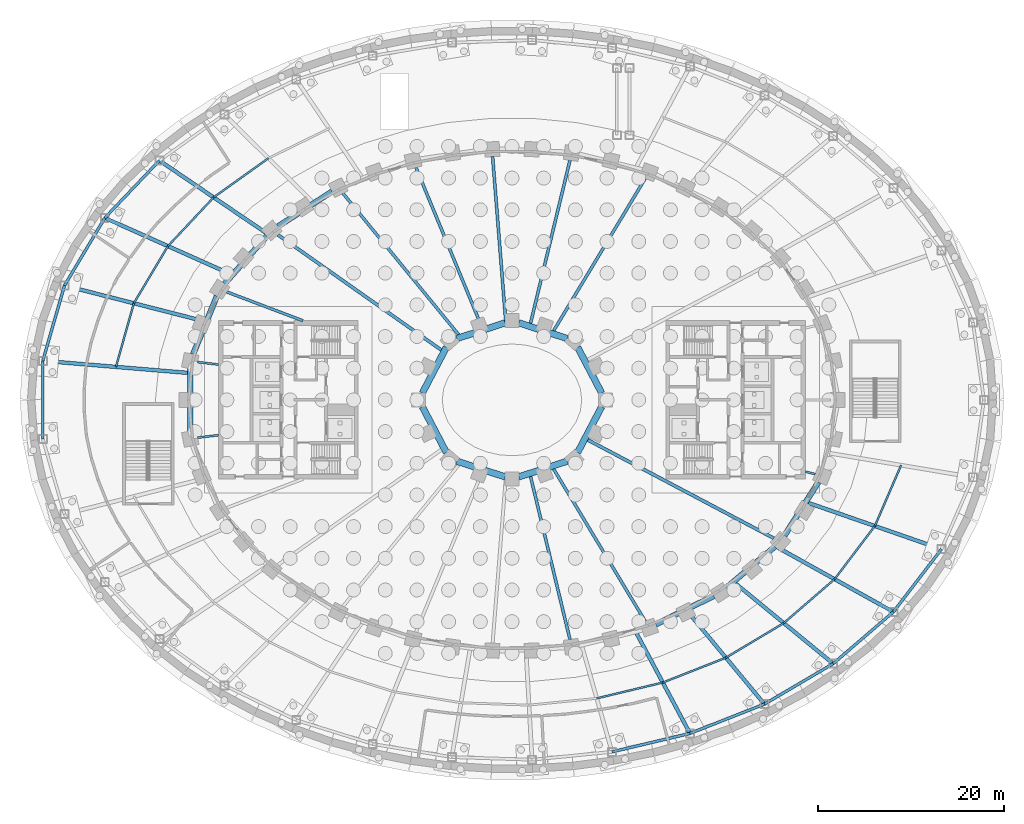
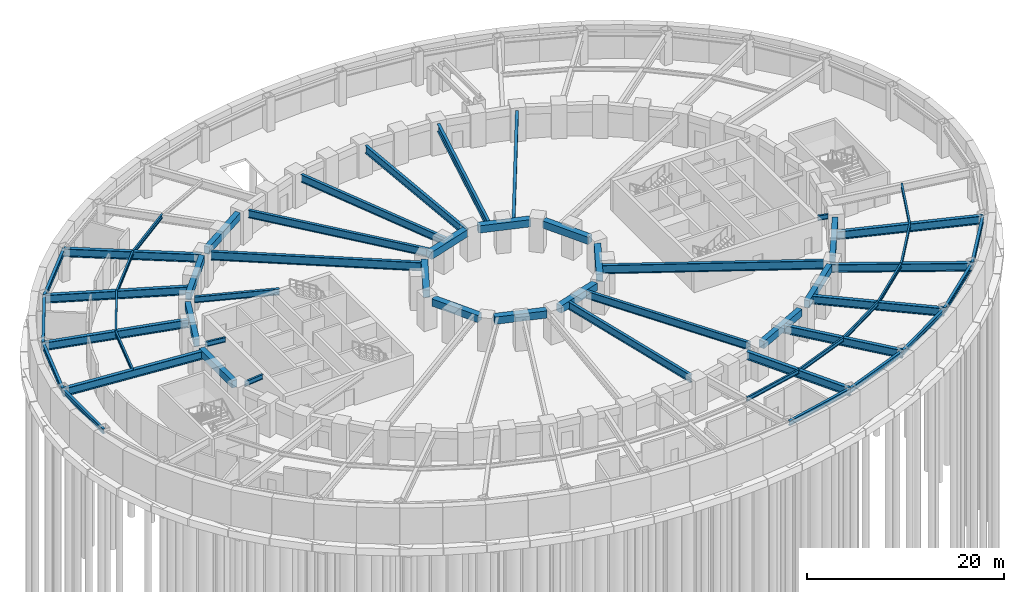
# One storey, part 7 of 19: 56 beams.
"""IFC4 building model written with IfcOpenShell, lengths in metres."""

from ifc_helpers import new_model, si_unit, direction, frame, origin, origin_2d, place, context, subcontext, project, spatial, rectangle, i_section, extrude, material, material_profile, profile_set, type_object, element, save


model = new_model("IFC4")

# Units and contexts
model_context = context("Model", 3, precision=1e-05, world=origin(), true_north=direction((0.0, 1.0)))
body_context = subcontext(model_context, "Body", "Model", "MODEL_VIEW")
ifc_project = project(units=[si_unit("LENGTHUNIT", "METRE"), si_unit("AREAUNIT", "SQUARE_METRE"), si_unit("VOLUMEUNIT", "CUBIC_METRE"), si_unit("PLANEANGLEUNIT", "RADIAN"), si_unit("MASSUNIT", "GRAM", prefix="KILO")], contexts=[model_context])

# Site, building, storey
site_placement = place(None, origin())
site = spatial("IfcSite", under=ifc_project, at=site_placement, CompositionType="ELEMENT")
building_placement = place(site_placement, origin())
building = spatial("IfcBuilding", under=site, at=building_placement, Name="Noorbagh Ring Tower", CompositionType="ELEMENT")
storey_placement = place(building_placement, frame((0.0, 0.0, -8.39990234375)))
storey = spatial("IfcBuildingStorey", under=building, at=storey_placement, Name="B2", CompositionType="ELEMENT", Elevation=-8.39990234375)

# Beams
ifc_material_1 = material(Name="Steel S355", Category="steel")
ifc_material_profile_1 = material_profile(ifc_material_1, i_section(OverallWidth=0.300048828125, OverallDepth=0.60009765625, WebThickness=0.015380859375, FlangeThickness=0.030029296875, FilletRadius=0.027099609375, at=origin_2d()), Name="HEB600")
ifc_profile_set_1 = profile_set([ifc_material_profile_1], Name="Steel S355")
beam_type_1 = type_object("IfcBeamType", Name="GND-EDGE-BEAM-HEB600", PredefinedType="BEAM", material=ifc_profile_set_1)
beam_1_placement = place(storey_placement, frame((-37.8330078125, 25.679931640625, 3.599853515625), z_axis=(-0.689738356688, -0.724058698804, 0.0), x_axis=(0.724058698804, -0.689738356688, 0.0)))
element("IfcBeam", 1, at=beam_1_placement, inside=storey, type_object=beam_type_1, Name="B2/bm/ERP-14", PredefinedType="BEAM", context=body_context, shape_type="SweptSolid", body=[
    extrude(i_section(OverallWidth=0.300048828125, OverallDepth=0.60009765625, WebThickness=0.015380859375, FlangeThickness=0.030029296875, FilletRadius=0.027099609375, at=origin_2d()), origin(), (0.0, 0.0, 1.0), 8.500732421875),
])
beam_2_placement = place(storey_placement, frame((-43.6962890625, 19.52490234375, 3.599853515625), z_axis=(-0.511999358166, -0.858985830638, 0.0), x_axis=(0.858985830638, -0.511999358166, 0.0)))
element("IfcBeam", 2, at=beam_2_placement, inside=storey, type_object=beam_type_1, Name="B2/bm/ERP-15", PredefinedType="BEAM", context=body_context, shape_type="SweptSolid", body=[
    extrude(i_section(OverallWidth=0.300048828125, OverallDepth=0.60009765625, WebThickness=0.015380859375, FlangeThickness=0.030029296875, FilletRadius=0.027099609375, at=origin_2d()), origin(), (0.0, 0.0, 1.0), 8.449462890625),
])
beam_3_placement = place(storey_placement, frame((-48.0224609375, 12.266845703125, 3.599853515625), z_axis=(-0.276646874617, -0.960971647222, 0.0), x_axis=(0.960971647222, -0.276646874617, 0.0)))
element("IfcBeam", 3, at=beam_3_placement, inside=storey, type_object=beam_type_1, Name="B2/bm/ERP-16", PredefinedType="BEAM", context=body_context, shape_type="SweptSolid", body=[
    extrude(i_section(OverallWidth=0.300048828125, OverallDepth=0.60009765625, WebThickness=0.015380859375, FlangeThickness=0.030029296875, FilletRadius=0.027099609375, at=origin_2d()), origin(), (0.0, 0.0, 1.0), 8.403076171875),
])
beam_4_placement = place(storey_placement, frame((-50.34716796875, 4.191650390625, 3.599853515625), z_axis=(0.0, -1.0, 0.0), x_axis=(1.0, 0.0, 0.0)))
element("IfcBeam", 4, at=beam_4_placement, inside=storey, type_object=beam_type_1, Name="B2/bm/ERP-17", PredefinedType="BEAM", context=body_context, shape_type="SweptSolid", body=[
    extrude(i_section(OverallWidth=0.300048828125, OverallDepth=0.60009765625, WebThickness=0.015380859375, FlangeThickness=0.030029296875, FilletRadius=0.027099609375, at=origin_2d()), origin(), (0.0, 0.0, 1.0), 8.38330078125),
])
beam_5_placement = place(storey_placement, frame((10.724609375, -37.771240234375, 3.599853515625), z_axis=(0.973167977411, 0.230095822957, 0.0), x_axis=(-0.230095822957, 0.973167977411, 0.0)))
element("IfcBeam", 5, at=beam_5_placement, inside=storey, type_object=beam_type_1, Name="B2/bm/ERP-27", PredefinedType="BEAM", context=body_context, shape_type="SweptSolid", body=[
    extrude(i_section(OverallWidth=0.300048828125, OverallDepth=0.60009765625, WebThickness=0.015380859375, FlangeThickness=0.030029296875, FilletRadius=0.027099609375, at=origin_2d()), origin(), (0.0, 0.0, 1.0), 8.602783203125),
])
beam_6_placement = place(storey_placement, frame((19.0966796875, -35.791748046875, 3.599853515625), z_axis=(0.930571668723, 0.366109777758, 0.0), x_axis=(-0.366109777758, 0.930571668723, 0.0)))
element("IfcBeam", 6, at=beam_6_placement, inside=storey, type_object=beam_type_1, Name="B2/bm/ERP-28", PredefinedType="BEAM", context=body_context, shape_type="SweptSolid", body=[
    extrude(i_section(OverallWidth=0.300048828125, OverallDepth=0.60009765625, WebThickness=0.015380859375, FlangeThickness=0.030029296875, FilletRadius=0.027099609375, at=origin_2d()), origin(), (0.0, 0.0, 1.0), 8.58642578125),
])
beam_7_placement = place(storey_placement, frame((27.0869140625, -32.648193359375, 3.599853515625), z_axis=(0.8618652907, 0.507137279922, 0.0), x_axis=(-0.507137279922, 0.8618652907, 0.0)))
element("IfcBeam", 7, at=beam_7_placement, inside=storey, type_object=beam_type_1, Name="B2/bm/ERP-29", PredefinedType="BEAM", context=body_context, shape_type="SweptSolid", body=[
    extrude(i_section(OverallWidth=0.300048828125, OverallDepth=0.60009765625, WebThickness=0.015380859375, FlangeThickness=0.030029296875, FilletRadius=0.027099609375, at=origin_2d()), origin(), (0.0, 0.0, 1.0), 8.560302734375),
])
beam_8_placement = place(storey_placement, frame((34.46484375, -28.306884765625, 3.599853515625), z_axis=(0.758254861469, 0.651958254076, 0.0), x_axis=(-0.651958254076, 0.758254861469, 0.0)))
element("IfcBeam", 8, at=beam_8_placement, inside=storey, type_object=beam_type_1, Name="B2/bm/ERP-30", PredefinedType="BEAM", context=body_context, shape_type="SweptSolid", body=[
    extrude(i_section(OverallWidth=0.300048828125, OverallDepth=0.60009765625, WebThickness=0.015380859375, FlangeThickness=0.030029296875, FilletRadius=0.027099609375, at=origin_2d()), origin(), (0.0, 0.0, 1.0), 8.5234375),
])
beam_9_placement = place(storey_placement, frame((40.927734375, -22.75, 3.599853515625), z_axis=(0.608048680374, 0.793899743227, 0.0), x_axis=(-0.793899743227, 0.608048680374, 0.0)))
element("IfcBeam", 9, at=beam_9_placement, inside=storey, type_object=beam_type_1, Name="B2/bm/ERP-31", PredefinedType="BEAM", context=body_context, shape_type="SweptSolid", body=[
    extrude(i_section(OverallWidth=0.300048828125, OverallDepth=0.60009765625, WebThickness=0.015380859375, FlangeThickness=0.030029296875, FilletRadius=0.027099609375, at=origin_2d()), origin(), (0.0, 0.0, 1.0), 8.4755859375),
])
ifc_material_2 = material(Name="Steel S355", Category="steel")
ifc_material_profile_2 = material_profile(ifc_material_2, i_section(OverallWidth=0.39990234375, OverallDepth=1.0, WebThickness=0.01611328125, FlangeThickness=0.0400390625, at=origin_2d()), Name="PG1000x400x16x40")
ifc_profile_set_2 = profile_set([ifc_material_profile_2], Name="Steel S355")
beam_type_2 = type_object("IfcBeamType", Name="GND-GIRDER-PG1000x400x16x40", PredefinedType="BEAM", material=ifc_profile_set_2)
beam_10_placement = place(storey_placement, frame((-37.8330078125, 25.679931640625, 3.39990234375), z_axis=(0.82739656341, -0.561618132593, 0.0), x_axis=(0.561618132593, 0.82739656341, 0.0)))
element("IfcBeam", 10, at=beam_10_placement, inside=storey, type_object=beam_type_2, Name="B2/bm/GRP-14", PredefinedType="BEAM", context=body_context, shape_type="SweptSolid", body=[
    extrude(i_section(OverallWidth=0.39990234375, OverallDepth=1.0, WebThickness=0.01611328125, FlangeThickness=0.0400390625, at=origin_2d()), origin(), (0.0, 0.0, 1.0), 14.06640625),
])
beam_11_placement = place(storey_placement, frame((-43.6962890625, 19.52490234375, 3.39990234375), z_axis=(0.91299879945, -0.4079622436, 0.0), x_axis=(0.4079622436, 0.91299879945, 0.0)))
element("IfcBeam", 11, at=beam_11_placement, inside=storey, type_object=beam_type_2, Name="B2/bm/GRP-15", PredefinedType="BEAM", context=body_context, shape_type="SweptSolid", body=[
    extrude(i_section(OverallWidth=0.39990234375, OverallDepth=1.0, WebThickness=0.01611328125, FlangeThickness=0.0400390625, at=origin_2d()), origin(), (0.0, 0.0, 1.0), 14.8359375),
])
beam_12_placement = place(storey_placement, frame((-48.0224609375, 12.266845703125, 3.39990234375), z_axis=(0.968889089752, -0.247495316642, 0.0), x_axis=(0.247495316642, 0.968889089752, 0.0)))
element("IfcBeam", 12, at=beam_12_placement, inside=storey, type_object=beam_type_2, Name="B2/bm/GRP-16", PredefinedType="BEAM", context=body_context, shape_type="SweptSolid", body=[
    extrude(i_section(OverallWidth=0.39990234375, OverallDepth=1.0, WebThickness=0.01611328125, FlangeThickness=0.0400390625, at=origin_2d()), origin(), (0.0, 0.0, 1.0), 15.35986328125),
])
beam_13_placement = place(storey_placement, frame((-50.34716796875, 4.191650390625, 3.39990234375), z_axis=(0.996552811546, -0.082960796767, 0.0), x_axis=(0.082960796767, 0.996552811546, 0.0)))
element("IfcBeam", 13, at=beam_13_placement, inside=storey, type_object=beam_type_2, Name="B2/bm/GRP-17", PredefinedType="BEAM", context=body_context, shape_type="SweptSolid", body=[
    extrude(i_section(OverallWidth=0.39990234375, OverallDepth=1.0, WebThickness=0.01611328125, FlangeThickness=0.0400390625, at=origin_2d()), origin(), (0.0, 0.0, 1.0), 15.7470703125),
])
beam_14_placement = place(storey_placement, frame((19.0966796875, -35.791748046875, 3.39990234375), z_axis=(-0.470746944877, 0.88226827773, 0.0), x_axis=(-0.88226827773, -0.470746944877, 0.0)))
element("IfcBeam", 14, at=beam_14_placement, inside=storey, type_object=beam_type_2, Name="B2/bm/GRP-28", PredefinedType="BEAM", context=body_context, shape_type="SweptSolid", body=[
    extrude(i_section(OverallWidth=0.39990234375, OverallDepth=1.0, WebThickness=0.01611328125, FlangeThickness=0.0400390625, at=origin_2d()), origin(), (0.0, 0.0, 1.0), 12.375),
])
beam_15_placement = place(storey_placement, frame((27.0869140625, -32.648193359375, 3.39990234375), z_axis=(-0.638516852805, 0.769607840841, 0.0), x_axis=(-0.769607840841, -0.638516852805, 0.0)))
element("IfcBeam", 15, at=beam_15_placement, inside=storey, type_object=beam_type_2, Name="B2/bm/GRP-29", PredefinedType="BEAM", context=body_context, shape_type="SweptSolid", body=[
    extrude(i_section(OverallWidth=0.39990234375, OverallDepth=1.0, WebThickness=0.01611328125, FlangeThickness=0.0400390625, at=origin_2d()), origin(), (0.0, 0.0, 1.0), 12.943603515625),
])
beam_16_placement = place(storey_placement, frame((34.46484375, -28.306884765625, 3.39990234375), z_axis=(-0.772763025599, 0.63469465593, 0.0), x_axis=(-0.63469465593, -0.772763025599, 0.0)))
element("IfcBeam", 16, at=beam_16_placement, inside=storey, type_object=beam_type_2, Name="B2/bm/GRP-30", PredefinedType="BEAM", context=body_context, shape_type="SweptSolid", body=[
    extrude(i_section(OverallWidth=0.39990234375, OverallDepth=1.0, WebThickness=0.01611328125, FlangeThickness=0.0400390625, at=origin_2d()), origin(), (0.0, 0.0, 1.0), 13.723388671875),
])
beam_17_placement = place(storey_placement, frame((40.927734375, -22.75, 3.39990234375), z_axis=(-0.874045637009, 0.485843827197, 0.0), x_axis=(-0.485843827197, -0.874045637009, 0.0)))
element("IfcBeam", 17, at=beam_17_placement, inside=storey, type_object=beam_type_2, Name="B2/bm/GRP-31", PredefinedType="BEAM", context=body_context, shape_type="SweptSolid", body=[
    extrude(i_section(OverallWidth=0.39990234375, OverallDepth=1.0, WebThickness=0.01611328125, FlangeThickness=0.0400390625, at=origin_2d()), origin(), (0.0, 0.0, 1.0), 14.444580078125),
])
beam_18_placement = place(storey_placement, frame((46.081298828125, -16.021240234375, 3.39990234375), z_axis=(-0.94453989429, 0.328396693185, 0.0), x_axis=(-0.328396693185, -0.94453989429, 0.0)))
element("IfcBeam", 18, at=beam_18_placement, inside=storey, type_object=beam_type_2, Name="B2/bm/GRP-32", PredefinedType="BEAM", context=body_context, shape_type="SweptSolid", body=[
    extrude(i_section(OverallWidth=0.39990234375, OverallDepth=1.0, WebThickness=0.01611328125, FlangeThickness=0.0400390625, at=origin_2d()), origin(), (0.0, 0.0, 1.0), 15.12890625),
])
ifc_material_3 = material(Name="Steel S355", Category="steel")
ifc_material_profile_3 = material_profile(ifc_material_3, i_section(OverallWidth=0.199951171875, OverallDepth=0.5, WebThickness=0.01025390625, FlangeThickness=0.01611328125, FilletRadius=0.02099609375, at=origin_2d()), Name="IPE500")
ifc_profile_set_3 = profile_set([ifc_material_profile_3], Name="Steel S355")
beam_type_3 = type_object("IfcBeamType", Name="GND-MID-BEAM-IPE500", PredefinedType="JOIST", material=ifc_profile_set_3)
beam_19_placement = place(storey_placement, frame((-26.13671875, 25.933349609375, 3.64990234375), z_axis=(-0.813381743113, -0.581730298308, 0.0), x_axis=(0.581730298308, -0.813381743113, 0.0)))
element("IfcBeam", 19, at=beam_19_placement, inside=storey, type_object=beam_type_3, Name="B2/bm/MRP-13", PredefinedType="JOIST", context=body_context, shape_type="SweptSolid", body=[
    extrude(i_section(OverallWidth=0.199951171875, OverallDepth=0.5, WebThickness=0.01025390625, FlangeThickness=0.01611328125, FilletRadius=0.02099609375, at=origin_2d()), origin(), (0.0, 0.0, 1.0), 7.2255859375),
])
beam_20_placement = place(storey_placement, frame((-32.013916015625, 21.72998046875, 3.64990234375), z_axis=(-0.684360968268, -0.729143377609, 0.0), x_axis=(0.729143377609, -0.684360968268, 0.0)))
element("IfcBeam", 20, at=beam_20_placement, inside=storey, type_object=beam_type_3, Name="B2/bm/MRP-14", PredefinedType="JOIST", context=body_context, shape_type="SweptSolid", body=[
    extrude(i_section(OverallWidth=0.199951171875, OverallDepth=0.5, WebThickness=0.01025390625, FlangeThickness=0.01611328125, FilletRadius=0.02099609375, at=origin_2d()), origin(), (0.0, 0.0, 1.0), 7.174560546875),
])
beam_21_placement = place(storey_placement, frame((-36.923828125, 16.498779296875, 3.64990234375), z_axis=(-0.512221226457, -0.858853546984, 0.0), x_axis=(0.858853546984, -0.512221226457, 0.0)))
element("IfcBeam", 21, at=beam_21_placement, inside=storey, type_object=beam_type_3, Name="B2/bm/MRP-15", PredefinedType="JOIST", context=body_context, shape_type="SweptSolid", body=[
    extrude(i_section(OverallWidth=0.199951171875, OverallDepth=0.5, WebThickness=0.01025390625, FlangeThickness=0.01611328125, FilletRadius=0.02099609375, at=origin_2d()), origin(), (0.0, 0.0, 1.0), 7.140380859375),
])
beam_22_placement = place(storey_placement, frame((-40.581298828125, 10.3662109375, 3.64990234375), z_axis=(-0.270635919065, -0.962681774686, 0.0), x_axis=(0.962681774686, -0.270635919065, 0.0)))
element("IfcBeam", 22, at=beam_22_placement, inside=storey, type_object=beam_type_3, Name="B2/bm/MRP-16", PredefinedType="JOIST", context=body_context, shape_type="SweptSolid", body=[
    extrude(i_section(OverallWidth=0.199951171875, OverallDepth=0.5, WebThickness=0.01025390625, FlangeThickness=0.01611328125, FilletRadius=0.02099609375, at=origin_2d()), origin(), (0.0, 0.0, 1.0), 7.09228515625),
])
beam_23_placement = place(storey_placement, frame((9.093994140625, -32.028564453125, 3.64990234375), z_axis=(0.972568186564, 0.23261797541, 0.0), x_axis=(-0.23261797541, 0.972568186564, 0.0)))
element("IfcBeam", 23, at=beam_23_placement, inside=storey, type_object=beam_type_3, Name="B2/bm/MRP-27", PredefinedType="JOIST", context=body_context, shape_type="SweptSolid", body=[
    extrude(i_section(OverallWidth=0.199951171875, OverallDepth=0.5, WebThickness=0.01025390625, FlangeThickness=0.01611328125, FilletRadius=0.02099609375, at=origin_2d()), origin(), (0.0, 0.0, 1.0), 7.2900390625),
])
beam_24_placement = place(storey_placement, frame((16.18408203125, -30.332763671875, 3.64990234375), z_axis=(0.930496782909, 0.36630006415, 0.0), x_axis=(-0.36630006415, 0.930496782909, 0.0)))
element("IfcBeam", 24, at=beam_24_placement, inside=storey, type_object=beam_type_3, Name="B2/bm/MRP-28", PredefinedType="JOIST", context=body_context, shape_type="SweptSolid", body=[
    extrude(i_section(OverallWidth=0.199951171875, OverallDepth=0.5, WebThickness=0.01025390625, FlangeThickness=0.01611328125, FilletRadius=0.02099609375, at=origin_2d()), origin(), (0.0, 0.0, 1.0), 7.276123046875),
])
beam_25_placement = place(storey_placement, frame((22.95458984375, -27.66748046875, 3.64990234375), z_axis=(0.858046251749, 0.513572419293, 0.0), x_axis=(-0.513572419293, 0.858046251749, 0.0)))
element("IfcBeam", 25, at=beam_25_placement, inside=storey, type_object=beam_type_3, Name="B2/bm/MRP-29", PredefinedType="JOIST", context=body_context, shape_type="SweptSolid", body=[
    extrude(i_section(OverallWidth=0.199951171875, OverallDepth=0.5, WebThickness=0.01025390625, FlangeThickness=0.01611328125, FilletRadius=0.02099609375, at=origin_2d()), origin(), (0.0, 0.0, 1.0), 7.23486328125),
])
beam_26_placement = place(storey_placement, frame((29.162353515625, -23.951904296875, 3.64990234375), z_axis=(0.756711012056, 0.653749527138, 0.0), x_axis=(-0.653749527138, 0.756711012056, 0.0)))
element("IfcBeam", 26, at=beam_26_placement, inside=storey, type_object=beam_type_3, Name="B2/bm/MRP-30", PredefinedType="JOIST", context=body_context, shape_type="SweptSolid", body=[
    extrude(i_section(OverallWidth=0.199951171875, OverallDepth=0.5, WebThickness=0.01025390625, FlangeThickness=0.01611328125, FilletRadius=0.02099609375, at=origin_2d()), origin(), (0.0, 0.0, 1.0), 7.2060546875),
])
beam_27_placement = place(storey_placement, frame((34.615234375, -19.240966796875, 3.64990234375), z_axis=(0.603852432952, 0.79709612922, 0.0), x_axis=(-0.79709612922, 0.603852432952, 0.0)))
element("IfcBeam", 27, at=beam_27_placement, inside=storey, type_object=beam_type_3, Name="B2/bm/MRP-31", PredefinedType="JOIST", context=body_context, shape_type="SweptSolid", body=[
    extrude(i_section(OverallWidth=0.199951171875, OverallDepth=0.5, WebThickness=0.01025390625, FlangeThickness=0.01611328125, FilletRadius=0.02099609375, at=origin_2d()), origin(), (0.0, 0.0, 1.0), 7.15576171875),
])
beam_28_placement = place(storey_placement, frame((38.936279296875, -13.537109375, 3.64990234375), z_axis=(0.396441936779, 0.918059796943, 0.0), x_axis=(-0.918059796943, 0.396441936779, 0.0)))
element("IfcBeam", 28, at=beam_28_placement, inside=storey, type_object=beam_type_3, Name="B2/bm/MRP-32", PredefinedType="JOIST", context=body_context, shape_type="SweptSolid", body=[
    extrude(i_section(OverallWidth=0.199951171875, OverallDepth=0.5, WebThickness=0.01025390625, FlangeThickness=0.01611328125, FilletRadius=0.02099609375, at=origin_2d()), origin(), (0.0, 0.0, 1.0), 7.109130859375),
])
ifc_material_4 = material(Name="Steel S355", Category="steel")
ifc_material_profile_4 = material_profile(ifc_material_4, i_section(OverallWidth=0.219970703125, OverallDepth=0.60009765625, WebThickness=0.011962890625, FlangeThickness=0.01904296875, FilletRadius=0.02392578125, at=origin_2d()), Name="IPE600")
ifc_profile_set_4 = profile_set([ifc_material_profile_4], Name="Steel S355")
beam_type_4 = type_object("IfcBeamType", Name="STR-RAD-IPE600", PredefinedType="BEAM", material=ifc_profile_set_4)
for number, where, z_axis, x_axis, name in (
    (29, (-33.75, 4.057373046875, 3.599853515625), (0.992846993178, -0.11939366875, 0.0), (0.11939366875, 0.992846993178, 0.0), "B2/bm/RD23"),
    (30, (-33.75, -4.057373046875, 3.599853515625), (0.992846993178, 0.11939366875, 0.0), (-0.11939366875, 0.992846993178, 0.0), "B2/bm/RD25"),
):
    element("IfcBeam", number, at=place(storey_placement, frame(where, z_axis=z_axis, x_axis=x_axis)), inside=storey, type_object=beam_type_4, Name=name, PredefinedType="BEAM", context=body_context, shape_type="SweptSolid", body=[
        extrude(i_section(OverallWidth=0.219970703125, OverallDepth=0.60009765625, WebThickness=0.011962890625, FlangeThickness=0.01904296875, FilletRadius=0.02392578125, at=origin_2d()), origin(), (0.0, 0.0, 1.0), 2.2861328125),
    ])
beam_29_placement = place(storey_placement, frame((32.538818359375, -7.9619140625, 3.599853515625), z_axis=(-0.971330054052, 0.237734991315, 0.0), x_axis=(-0.237734991315, -0.971330054052, 0.0)))
element("IfcBeam", 31, at=beam_29_placement, inside=storey, type_object=beam_type_4, Name="B2/bm/RD45", PredefinedType="BEAM", context=body_context, shape_type="SweptSolid", body=[
    extrude(i_section(OverallWidth=0.219970703125, OverallDepth=0.60009765625, WebThickness=0.011962890625, FlangeThickness=0.01904296875, FilletRadius=0.02392578125, at=origin_2d()), origin(), (0.0, 0.0, 1.0), 1.089599609375),
])
ifc_material_5 = material(Name="Steel S355", Category="steel")
ifc_material_profile_5 = material_profile(ifc_material_5, i_section(OverallWidth=0.35009765625, OverallDepth=1.050048828125, WebThickness=0.01806640625, FlangeThickness=0.033935546875, at=origin_2d()), Name="PG1050x350x18x34")
ifc_profile_set_5 = profile_set([ifc_material_profile_5], Name="Steel S355")
beam_type_5 = type_object("IfcBeamType", Name="STR-RAD-PG1050x350x18x34", PredefinedType="BEAM", material=ifc_profile_set_5)
beam_30_placement = place(storey_placement, frame((-25.12353515625, 17.715576171875, 3.375), z_axis=(0.817253259362, -0.576278673961, 0.0), x_axis=(0.576278673961, 0.817253259362, 0.0)))
element("IfcBeam", 32, at=beam_30_placement, inside=storey, type_object=beam_type_5, Name="B2/bm/RD19", PredefinedType="BEAM", context=body_context, shape_type="SweptSolid", body=[
    extrude(i_section(OverallWidth=0.35009765625, OverallDepth=1.050048828125, WebThickness=0.01806640625, FlangeThickness=0.033935546875, at=origin_2d()), origin(), (0.0, 0.0, 1.0), 21.471435546875),
])
beam_31_placement = place(storey_placement, frame((28.108642578125, -14.855224609375, 3.375), z_axis=(-0.884121906441, 0.467256304988, 0.0), x_axis=(-0.467256304988, -0.884121906441, 0.0)))
element("IfcBeam", 33, at=beam_31_placement, inside=storey, type_object=beam_type_5, Name="B2/bm/RD43", PredefinedType="BEAM", context=body_context, shape_type="SweptSolid", body=[
    extrude(i_section(OverallWidth=0.35009765625, OverallDepth=1.050048828125, WebThickness=0.01806640625, FlangeThickness=0.033935546875, at=origin_2d()), origin(), (0.0, 0.0, 1.0), 22.601806640625),
])
ifc_material_6 = material(Name="Steel S355", Category="steel")
ifc_material_profile_6 = material_profile(ifc_material_6, i_section(OverallWidth=0.300048828125, OverallDepth=0.75, WebThickness=0.013916015625, FlangeThickness=0.02587890625, at=origin_2d()), Name="PG750x300x14x26")
ifc_profile_set_6 = profile_set([ifc_material_profile_6], Name="Steel S355")
beam_type_6 = type_object("IfcBeamType", Name="STR-RAD-PG750x300x14x26", PredefinedType="BEAM", material=ifc_profile_set_6)
beam_32_placement = place(storey_placement, frame((-30.619873046875, 11.5888671875, 3.52490234375), z_axis=(0.935258038122, -0.353966668102, 0.0), x_axis=(0.353966668102, 0.935258038122, 0.0)))
element("IfcBeam", 34, at=beam_32_placement, inside=storey, type_object=beam_type_6, Name="B2/bm/RD21", PredefinedType="BEAM", context=body_context, shape_type="SweptSolid", body=[
    extrude(i_section(OverallWidth=0.300048828125, OverallDepth=0.75, WebThickness=0.013916015625, FlangeThickness=0.02587890625, at=origin_2d()), origin(), (0.0, 0.0, 1.0), 8.746337890625),
])
ifc_material_7 = material(Name="Steel S355", Category="steel")
ifc_material_profile_7 = material_profile(ifc_material_7, i_section(OverallWidth=0.320068359375, OverallDepth=0.949951171875, WebThickness=0.01611328125, FlangeThickness=0.030029296875, at=origin_2d()), Name="PG950x320x16x30")
ifc_profile_set_7 = profile_set([ifc_material_profile_7], Name="Steel S355")
beam_type_7 = type_object("IfcBeamType", Name="STR-RAD-PG950x320x16x30", PredefinedType="BEAM", material=ifc_profile_set_7)
beam_33_placement = place(storey_placement, frame((14.29931640625, 23.759033203125, 3.4248046875), z_axis=(-0.515655762899, -0.856795853275, 0.0), x_axis=(0.856795853275, -0.515655762899, 0.0)))
element("IfcBeam", 35, at=beam_33_placement, inside=storey, type_object=beam_type_7, Name="B2/bm/RD09", PredefinedType="BEAM", context=body_context, shape_type="SweptSolid", body=[
    extrude(i_section(OverallWidth=0.320068359375, OverallDepth=0.949951171875, WebThickness=0.01611328125, FlangeThickness=0.030029296875, at=origin_2d()), origin(), (0.0, 0.0, 1.0), 19.0888671875),
])
beam_34_placement = place(storey_placement, frame((6.22509765625, 25.729248046875, 3.4248046875), z_axis=(-0.235155855534, -0.971957675832, 0.0), x_axis=(0.971957675832, -0.235155855534, 0.0)))
element("IfcBeam", 36, at=beam_34_placement, inside=storey, type_object=beam_type_7, Name="B2/bm/RD11", PredefinedType="BEAM", context=body_context, shape_type="SweptSolid", body=[
    extrude(i_section(OverallWidth=0.320068359375, OverallDepth=0.949951171875, WebThickness=0.01611328125, FlangeThickness=0.030029296875, at=origin_2d()), origin(), (0.0, 0.0, 1.0), 18.029541015625),
])
beam_35_placement = place(storey_placement, frame((-2.081298828125, 26.1201171875, 3.4248046875), z_axis=(0.079425808882, -0.996840780107, 0.0), x_axis=(0.996840780107, 0.079425808882, 0.0)))
element("IfcBeam", 37, at=beam_35_placement, inside=storey, type_object=beam_type_7, Name="B2/bm/RD13", PredefinedType="BEAM", context=body_context, shape_type="SweptSolid", body=[
    extrude(i_section(OverallWidth=0.320068359375, OverallDepth=0.949951171875, WebThickness=0.01611328125, FlangeThickness=0.030029296875, at=origin_2d()), origin(), (0.0, 0.0, 1.0), 18.227783203125),
])
beam_36_placement = place(storey_placement, frame((-10.311767578125, 24.9443359375, 3.4248046875), z_axis=(0.382034392842, -0.924148106467, 0.0), x_axis=(0.924148106467, 0.382034392842, 0.0)))
element("IfcBeam", 38, at=beam_36_placement, inside=storey, type_object=beam_type_7, Name="B2/bm/RD15", PredefinedType="BEAM", context=body_context, shape_type="SweptSolid", body=[
    extrude(i_section(OverallWidth=0.320068359375, OverallDepth=0.949951171875, WebThickness=0.01611328125, FlangeThickness=0.030029296875, at=origin_2d()), origin(), (0.0, 0.0, 1.0), 18.548583984375),
])
beam_37_placement = place(storey_placement, frame((-18.138427734375, 22.164794921875, 3.4248046875), z_axis=(0.633308995725, -0.773899034715, 0.0), x_axis=(0.773899034715, 0.633308995725, 0.0)))
element("IfcBeam", 39, at=beam_37_placement, inside=storey, type_object=beam_type_7, Name="B2/bm/RD17", PredefinedType="BEAM", context=body_context, shape_type="SweptSolid", body=[
    extrude(i_section(OverallWidth=0.320068359375, OverallDepth=0.949951171875, WebThickness=0.01611328125, FlangeThickness=0.030029296875, at=origin_2d()), origin(), (0.0, 0.0, 1.0), 19.603759765625),
])
beam_38_placement = place(storey_placement, frame((6.22509765625, -25.729248046875, 3.4248046875), z_axis=(-0.235155855534, 0.971957675832, 0.0), x_axis=(-0.971957675832, -0.235155855534, 0.0)))
element("IfcBeam", 40, at=beam_38_placement, inside=storey, type_object=beam_type_7, Name="B2/bm/RD37", PredefinedType="BEAM", context=body_context, shape_type="SweptSolid", body=[
    extrude(i_section(OverallWidth=0.320068359375, OverallDepth=0.949951171875, WebThickness=0.01611328125, FlangeThickness=0.030029296875, at=origin_2d()), origin(), (0.0, 0.0, 1.0), 18.029541015625),
])
beam_39_placement = place(storey_placement, frame((14.29931640625, -23.759033203125, 3.4248046875), z_axis=(-0.515655762899, 0.856795853275, 0.0), x_axis=(-0.856795853275, -0.515655762899, 0.0)))
element("IfcBeam", 41, at=beam_39_placement, inside=storey, type_object=beam_type_7, Name="B2/bm/RD39", PredefinedType="BEAM", context=body_context, shape_type="SweptSolid", body=[
    extrude(i_section(OverallWidth=0.320068359375, OverallDepth=0.949951171875, WebThickness=0.01611328125, FlangeThickness=0.030029296875, at=origin_2d()), origin(), (0.0, 0.0, 1.0), 19.0888671875),
])
ifc_material_8 = material(Name="Concrete C40/50", Category="concrete")
ifc_material_profile_8 = material_profile(ifc_material_8, rectangle(XDim=0.699951171875, YDim=0.89990234375, at=origin_2d()), Name="RC700x900")
ifc_profile_set_8 = profile_set([ifc_material_profile_8], Name="Concrete C40/50")
beam_type_8 = type_object("IfcBeamType", Name="STR-RB-RC700x900-C40-50", PredefinedType="BEAM", material=ifc_profile_set_8)
beam_40_placement = place(storey_placement, frame((9.623779296875, 0.732177734375, 3.449951171875), z_axis=(-0.464916752751, 0.885354399668, 0.0), x_axis=(-0.885354399668, -0.464916752751, 0.0)))
element("IfcBeam", 42, at=beam_40_placement, inside=storey, type_object=beam_type_8, Name="B2/bm/RG01", PredefinedType="BEAM", context=body_context, shape_type="SweptSolid", body=[
    extrude(rectangle(XDim=0.699951171875, YDim=0.89990234375, at=origin_2d()), origin(), (0.0, 0.0, 1.0), 5.543701171875),
])
for number, where, z_axis, x_axis, name in (
    (43, (5.92431640625, 6.579833984375, 3.449951171875), (-0.951144414124, 0.308746341648, 0.0), (-0.308746341648, -0.951144414124, 0.0), "B2/bm/RG03"),
    (44, (-0.73095703125, 8.265625, 3.449951171875), (-0.951144414124, -0.308746341648, 0.0), (0.308746341648, -0.951144414124, 0.0), "B2/bm/RG05"),
):
    element("IfcBeam", number, at=place(storey_placement, frame(where, z_axis=z_axis, x_axis=x_axis)), inside=storey, type_object=beam_type_8, Name=name, PredefinedType="BEAM", context=body_context, shape_type="SweptSolid", body=[
        extrude(rectangle(XDim=0.699951171875, YDim=0.89990234375, at=origin_2d()), origin(), (0.0, 0.0, 1.0), 5.460205078125),
    ])
for number, where, z_axis, x_axis, name in (
    (45, (-7.04638671875, 5.640380859375, 3.449951171875), (-0.464916752751, -0.885354399668, 0.0), (0.885354399668, -0.464916752751, 0.0), "B2/bm/RG07"),
    (46, (-9.623779296875, -0.732177734375, 3.449951171875), (0.464916752751, -0.885354399668, 0.0), (0.885354399668, 0.464916752751, 0.0), "B2/bm/RG09"),
):
    element("IfcBeam", number, at=place(storey_placement, frame(where, z_axis=z_axis, x_axis=x_axis)), inside=storey, type_object=beam_type_8, Name=name, PredefinedType="BEAM", context=body_context, shape_type="SweptSolid", body=[
        extrude(rectangle(XDim=0.699951171875, YDim=0.89990234375, at=origin_2d()), origin(), (0.0, 0.0, 1.0), 5.543701171875),
    ])
for number, where, z_axis, x_axis, name in (
    (47, (-5.92431640625, -6.579833984375, 3.449951171875), (0.951144414124, -0.308746341648, 0.0), (0.308746341648, 0.951144414124, 0.0), "B2/bm/RG11"),
    (48, (0.73095703125, -8.265625, 3.449951171875), (0.951144414124, 0.308746341648, 0.0), (-0.308746341648, 0.951144414124, 0.0), "B2/bm/RG13"),
):
    element("IfcBeam", number, at=place(storey_placement, frame(where, z_axis=z_axis, x_axis=x_axis)), inside=storey, type_object=beam_type_8, Name=name, PredefinedType="BEAM", context=body_context, shape_type="SweptSolid", body=[
        extrude(rectangle(XDim=0.699951171875, YDim=0.89990234375, at=origin_2d()), origin(), (0.0, 0.0, 1.0), 5.460205078125),
    ])
beam_41_placement = place(storey_placement, frame((7.04638671875, -5.640380859375, 3.449951171875), z_axis=(0.464916752751, 0.885354399668, 0.0), x_axis=(-0.885354399668, 0.464916752751, 0.0)))
element("IfcBeam", 49, at=beam_41_placement, inside=storey, type_object=beam_type_8, Name="B2/bm/RG15", PredefinedType="BEAM", context=body_context, shape_type="SweptSolid", body=[
    extrude(rectangle(XDim=0.699951171875, YDim=0.89990234375, at=origin_2d()), origin(), (0.0, 0.0, 1.0), 5.543701171875),
])
ifc_material_9 = material(Name="Concrete C40/50", Category="concrete")
ifc_material_profile_9 = material_profile(ifc_material_9, rectangle(XDim=0.60009765625, YDim=0.89990234375, at=origin_2d()), Name="RC600x900")
ifc_profile_set_9 = profile_set([ifc_material_profile_9], Name="Concrete C40/50")
beam_type_9 = type_object("IfcBeamType", Name="STR-SB-RC600x900-C40-50", PredefinedType="BEAM", material=ifc_profile_set_9)
beam_42_placement = place(storey_placement, frame((-19.306396484375, 22.359375, 3.449951171875), z_axis=(-0.840249989986, -0.542199183261, 0.0), x_axis=(0.542199183261, -0.840249989986, 0.0)))
element("IfcBeam", 50, at=beam_42_placement, inside=storey, type_object=beam_type_9, Name="B2/bm/SP17", PredefinedType="BEAM", context=body_context, shape_type="SweptSolid", body=[
    extrude(rectangle(XDim=0.60009765625, YDim=0.89990234375, at=origin_2d()), origin(), (0.0, 0.0, 1.0), 6.9208984375),
])
beam_43_placement = place(storey_placement, frame((-26.30517578125, 17.58984375, 3.449951171875), z_axis=(-0.662635440904, -0.748942102206, 0.0), x_axis=(0.748942102206, -0.662635440904, 0.0)))
element("IfcBeam", 51, at=beam_43_placement, inside=storey, type_object=beam_type_9, Name="B2/bm/SP19", PredefinedType="BEAM", context=body_context, shape_type="SweptSolid", body=[
    extrude(rectangle(XDim=0.60009765625, YDim=0.89990234375, at=origin_2d()), origin(), (0.0, 0.0, 1.0), 6.845703125),
])
beam_44_placement = place(storey_placement, frame((-31.665283203125, 11.137451171875, 3.449951171875), z_axis=(-0.378998692222, -0.925397207308, 0.0), x_axis=(0.925397207308, -0.378998692222, 0.0)))
element("IfcBeam", 52, at=beam_44_placement, inside=storey, type_object=beam_type_9, Name="B2/bm/SP21", PredefinedType="BEAM", context=body_context, shape_type="SweptSolid", body=[
    extrude(rectangle(XDim=0.60009765625, YDim=0.89990234375, at=origin_2d()), origin(), (0.0, 0.0, 1.0), 6.75537109375),
])
beam_45_placement = place(storey_placement, frame((-34.52685546875, 3.354736328125, 3.449951171875), z_axis=(0.0, -1.0, 0.0), x_axis=(1.0, 0.0, 0.0)))
element("IfcBeam", 53, at=beam_45_placement, inside=storey, type_object=beam_type_9, Name="B2/bm/SP23", PredefinedType="BEAM", context=body_context, shape_type="SweptSolid", body=[
    extrude(rectangle(XDim=0.60009765625, YDim=0.89990234375, at=origin_2d()), origin(), (0.0, 0.0, 1.0), 6.70947265625),
])
beam_46_placement = place(storey_placement, frame((15.41455078125, -24.09619140625, 3.449951171875), z_axis=(0.898397301801, 0.439183661031, 0.0), x_axis=(-0.439183661031, 0.898397301801, 0.0)))
element("IfcBeam", 54, at=beam_46_placement, inside=storey, type_object=beam_type_9, Name="B2/bm/SP39", PredefinedType="BEAM", context=body_context, shape_type="SweptSolid", body=[
    extrude(rectangle(XDim=0.60009765625, YDim=0.89990234375, at=origin_2d()), origin(), (0.0, 0.0, 1.0), 6.947509765625),
])
beam_47_placement = place(storey_placement, frame((22.96240234375, -20.19140625, 3.449951171875), z_axis=(0.763029833708, 0.646363266957, 0.0), x_axis=(-0.646363266957, 0.763029833708, 0.0)))
element("IfcBeam", 55, at=beam_47_placement, inside=storey, type_object=beam_type_9, Name="B2/bm/SP41", PredefinedType="BEAM", context=body_context, shape_type="SweptSolid", body=[
    extrude(rectangle(XDim=0.60009765625, YDim=0.89990234375, at=origin_2d()), origin(), (0.0, 0.0, 1.0), 6.886962890625),
])
beam_48_placement = place(storey_placement, frame((29.24169921875, -14.56298828125, 3.449951171875), z_axis=(0.535204111644, 0.844722770428, 0.0), x_axis=(-0.844722770428, 0.535204111644, 0.0)))
element("IfcBeam", 56, at=beam_48_placement, inside=storey, type_object=beam_type_9, Name="B2/bm/SP43", PredefinedType="BEAM", context=body_context, shape_type="SweptSolid", body=[
    extrude(rectangle(XDim=0.60009765625, YDim=0.89990234375, at=origin_2d()), origin(), (0.0, 0.0, 1.0), 6.800048828125),
])

save(model, "model.ifc")
